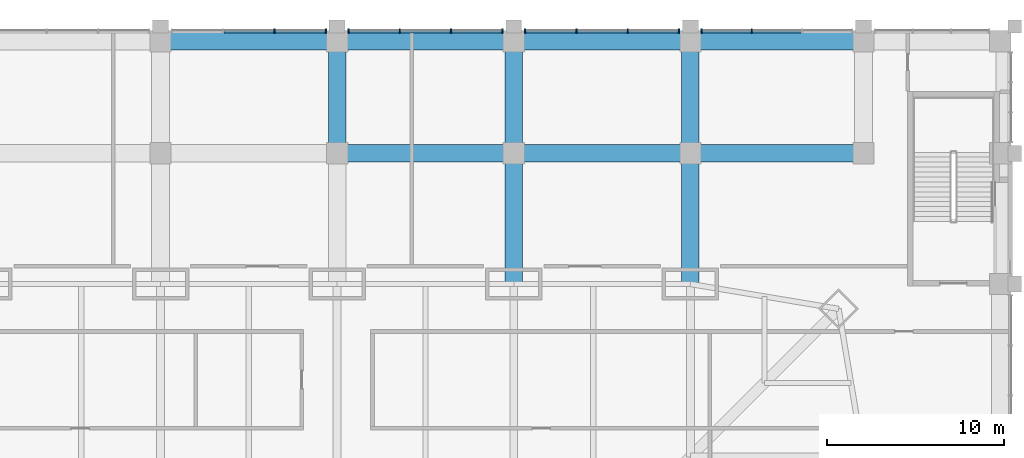
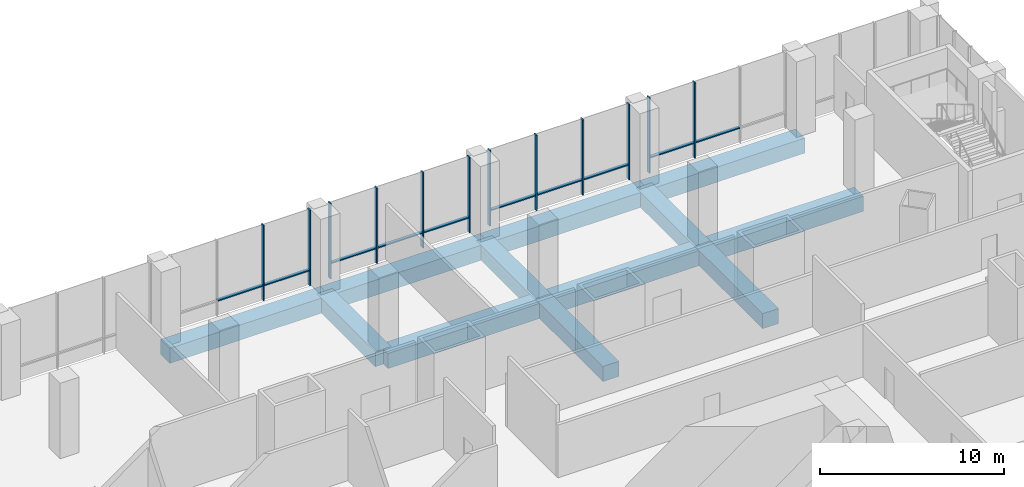
# One storey, part 11 of 24: 22 members, 12 beams, 4 elements without a shape of their own.
"""IFC4 building model written with IfcOpenShell, lengths in metres."""

from ifc_helpers import new_model, si_unit, direction, frame, origin, origin_2d, place, context, subcontext, project, spatial, rectangle, extrude, material, material_profile, profile_set, type_object, element, aggregate, save


model = new_model("IFC4")

# Units and contexts
model_context = context("Model", 3, precision=1e-05, world=origin(), true_north=direction((0.0, 1.0)))
body_context = subcontext(model_context, "Body", "Model", "MODEL_VIEW")
ifc_project = project(units=[si_unit("LENGTHUNIT", "METRE"), si_unit("AREAUNIT", "SQUARE_METRE"), si_unit("VOLUMEUNIT", "CUBIC_METRE"), si_unit("PLANEANGLEUNIT", "RADIAN"), si_unit("MASSUNIT", "GRAM", prefix="KILO")], contexts=[model_context])

# Site, building, storey
site_placement = place(None, origin())
site = spatial("IfcSite", under=ifc_project, at=site_placement, CompositionType="ELEMENT")
building_placement = place(site_placement, origin())
building = spatial("IfcBuilding", under=site, at=building_placement, Name="Khuree Lantern Residences", CompositionType="ELEMENT")
storey_placement = place(building_placement, frame((0.0, 0.0, 6.0)))
storey = spatial("IfcBuildingStorey", under=building, at=storey_placement, Name="L01", CompositionType="ELEMENT", Elevation=6.0)

# Curtain wall, members
ifc_material_1 = material(Name="Bronze anodised aluminium", Category="aluminium")
curtain_wall_type = type_object("IfcCurtainWallType", Name="CW-P PODIUM STOREFRONT CURTAIN WALL", PredefinedType="USERDEFINED", material=ifc_material_1)
curtain_wall_1_placement = place(storey_placement, origin())
curtain_wall_1 = element("IfcCurtainWall", 1, at=curtain_wall_1_placement, inside=storey, type_object=curtain_wall_type, Name="L01 NORTH FACE BAY 2 STOREFRONT", ObjectType="Storefront curtain wall", PredefinedType="USERDEFINED")
ifc_material_profile_1 = material_profile(ifc_material_1, rectangle(XDim=0.074951171875, YDim=0.25, at=origin_2d()), Name="M5 75X250")
ifc_profile_set_1 = profile_set([ifc_material_profile_1], Name="Bronze anodised aluminium")
member_type_1 = type_object("IfcMemberType", Name="MULLION M5 STOREFRONT 75X250", PredefinedType="MULLION", material=ifc_profile_set_1)
member_1_placement = place(storey_placement, frame((23.479248046875, 44.125, 0.0), z_axis=(0.0, 0.0, 1.0), x_axis=(-1.0, 0.0, 0.0)))
member_1 = element("IfcMember", 2, at=member_1_placement, type_object=member_type_1, Name="L01 NORTH FACE BAY 2 MULLION 3", PredefinedType="MULLION", context=body_context, shape_type="SweptSolid", body=[
    extrude(rectangle(XDim=0.074951171875, YDim=0.25, at=origin_2d()), origin(), (0.0, 0.0, 1.0), 5.0),
])
member_2_placement = place(storey_placement, frame((20.637451171875, 44.125, 0.0), z_axis=(0.0, 0.0, 1.0), x_axis=(-1.0, 0.0, 0.0)))
member_2 = element("IfcMember", 3, at=member_2_placement, type_object=member_type_1, Name="L01 NORTH FACE BAY 2 MULLION 4", PredefinedType="MULLION", context=body_context, shape_type="SweptSolid", body=[
    extrude(rectangle(XDim=0.074951171875, YDim=0.25, at=origin_2d()), origin(), (0.0, 0.0, 1.0), 5.0),
])

curtain_wall_2_placement = place(storey_placement, origin())
curtain_wall_2 = element("IfcCurtainWall", 4, at=curtain_wall_2_placement, inside=storey, type_object=curtain_wall_type, Name="L01 NORTH FACE BAY 3 STOREFRONT", ObjectType="Storefront curtain wall", PredefinedType="USERDEFINED")
member_3_placement = place(storey_placement, frame((19.362548828125, 44.125, 0.0), z_axis=(0.0, 0.0, 1.0), x_axis=(-1.0, 0.0, 0.0)))
member_3 = element("IfcMember", 5, at=member_3_placement, type_object=member_type_1, Name="L01 NORTH FACE BAY 3 MULLION 1", PredefinedType="MULLION", context=body_context, shape_type="SweptSolid", body=[
    extrude(rectangle(XDim=0.074951171875, YDim=0.25, at=origin_2d()), origin(), (0.0, 0.0, 1.0), 5.0),
])
member_4_placement = place(storey_placement, frame((16.4541015625, 44.125, 0.0), z_axis=(0.0, 0.0, 1.0), x_axis=(-1.0, 0.0, 0.0)))
member_4 = element("IfcMember", 6, at=member_4_placement, type_object=member_type_1, Name="L01 NORTH FACE BAY 3 MULLION 2", PredefinedType="MULLION", context=body_context, shape_type="SweptSolid", body=[
    extrude(rectangle(XDim=0.074951171875, YDim=0.25, at=origin_2d()), origin(), (0.0, 0.0, 1.0), 5.0),
])
member_5_placement = place(storey_placement, frame((13.5458984375, 44.125, 0.0), z_axis=(0.0, 0.0, 1.0), x_axis=(-1.0, 0.0, 0.0)))
member_5 = element("IfcMember", 7, at=member_5_placement, type_object=member_type_1, Name="L01 NORTH FACE BAY 3 MULLION 3", PredefinedType="MULLION", context=body_context, shape_type="SweptSolid", body=[
    extrude(rectangle(XDim=0.074951171875, YDim=0.25, at=origin_2d()), origin(), (0.0, 0.0, 1.0), 5.0),
])
member_6_placement = place(storey_placement, frame((10.637451171875, 44.125, 0.0), z_axis=(0.0, 0.0, 1.0), x_axis=(-1.0, 0.0, 0.0)))
member_6 = element("IfcMember", 8, at=member_6_placement, type_object=member_type_1, Name="L01 NORTH FACE BAY 3 MULLION 4", PredefinedType="MULLION", context=body_context, shape_type="SweptSolid", body=[
    extrude(rectangle(XDim=0.074951171875, YDim=0.25, at=origin_2d()), origin(), (0.0, 0.0, 1.0), 5.0),
])

curtain_wall_3_placement = place(storey_placement, origin())
curtain_wall_3 = element("IfcCurtainWall", 9, at=curtain_wall_3_placement, inside=storey, type_object=curtain_wall_type, Name="L01 NORTH FACE BAY 4 STOREFRONT", ObjectType="Storefront curtain wall", PredefinedType="USERDEFINED")
member_7_placement = place(storey_placement, frame((9.362548828125, 44.125, 0.0), z_axis=(0.0, 0.0, 1.0), x_axis=(-1.0, 0.0, 0.0)))
member_7 = element("IfcMember", 10, at=member_7_placement, type_object=member_type_1, Name="L01 NORTH FACE BAY 4 MULLION 1", PredefinedType="MULLION", context=body_context, shape_type="SweptSolid", body=[
    extrude(rectangle(XDim=0.074951171875, YDim=0.25, at=origin_2d()), origin(), (0.0, 0.0, 1.0), 5.0),
])
member_8_placement = place(storey_placement, frame((6.4541015625, 44.125, 0.0), z_axis=(0.0, 0.0, 1.0), x_axis=(-1.0, 0.0, 0.0)))
member_8 = element("IfcMember", 11, at=member_8_placement, type_object=member_type_1, Name="L01 NORTH FACE BAY 4 MULLION 2", PredefinedType="MULLION", context=body_context, shape_type="SweptSolid", body=[
    extrude(rectangle(XDim=0.074951171875, YDim=0.25, at=origin_2d()), origin(), (0.0, 0.0, 1.0), 5.0),
])
member_9_placement = place(storey_placement, frame((3.5458984375, 44.125, 0.0), z_axis=(0.0, 0.0, 1.0), x_axis=(-1.0, 0.0, 0.0)))
member_9 = element("IfcMember", 12, at=member_9_placement, type_object=member_type_1, Name="L01 NORTH FACE BAY 4 MULLION 3", PredefinedType="MULLION", context=body_context, shape_type="SweptSolid", body=[
    extrude(rectangle(XDim=0.074951171875, YDim=0.25, at=origin_2d()), origin(), (0.0, 0.0, 1.0), 5.0),
])
member_10_placement = place(storey_placement, frame((0.637451171875, 44.125, 0.0), z_axis=(0.0, 0.0, 1.0), x_axis=(-1.0, 0.0, 0.0)))
member_10 = element("IfcMember", 13, at=member_10_placement, type_object=member_type_1, Name="L01 NORTH FACE BAY 4 MULLION 4", PredefinedType="MULLION", context=body_context, shape_type="SweptSolid", body=[
    extrude(rectangle(XDim=0.074951171875, YDim=0.25, at=origin_2d()), origin(), (0.0, 0.0, 1.0), 5.0),
])

curtain_wall_4_placement = place(storey_placement, origin())
curtain_wall_4 = element("IfcCurtainWall", 14, at=curtain_wall_4_placement, inside=storey, type_object=curtain_wall_type, Name="L01 NORTH FACE BAY 5 STOREFRONT", ObjectType="Storefront curtain wall", PredefinedType="USERDEFINED")
member_11_placement = place(storey_placement, frame((-0.637451171875, 44.125, 0.0), z_axis=(0.0, 0.0, 1.0), x_axis=(-1.0, 0.0, 0.0)))
member_11 = element("IfcMember", 15, at=member_11_placement, type_object=member_type_1, Name="L01 NORTH FACE BAY 5 MULLION 1", PredefinedType="MULLION", context=body_context, shape_type="SweptSolid", body=[
    extrude(rectangle(XDim=0.074951171875, YDim=0.25, at=origin_2d()), origin(), (0.0, 0.0, 1.0), 5.0),
])
member_12_placement = place(storey_placement, frame((-3.5458984375, 44.125, 0.0), z_axis=(0.0, 0.0, 1.0), x_axis=(-1.0, 0.0, 0.0)))
member_12 = element("IfcMember", 16, at=member_12_placement, type_object=member_type_1, Name="L01 NORTH FACE BAY 5 MULLION 2", PredefinedType="MULLION", context=body_context, shape_type="SweptSolid", body=[
    extrude(rectangle(XDim=0.074951171875, YDim=0.25, at=origin_2d()), origin(), (0.0, 0.0, 1.0), 5.0),
])

# Beams
ifc_material_2 = material(Name="Concrete C40/50", Category="concrete")
ifc_material_profile_2 = material_profile(ifc_material_2, rectangle(XDim=1.0, YDim=1.0, at=origin_2d()), Name="RC 1000X1000")
ifc_profile_set_2 = profile_set([ifc_material_profile_2], Name="Concrete C40/50")
beam_type = type_object("IfcBeamType", Name="RB3 PODIUM BEAM RC 1000X1000", PredefinedType="BEAM", material=ifc_profile_set_2)
for number, where, z_axis, x_axis, name in (
    (17, (0.0, 37.199951171875, -0.800048828125), (1.0, 0.0, 0.0), (0.0, 1.0, 0.0), "Podium beam RB-14"),
    (18, (10.0, 37.199951171875, -0.800048828125), (1.0, 0.0, 0.0), (0.0, 1.0, 0.0), "Podium beam RB-15"),
):
    element("IfcBeam", number, at=place(storey_placement, frame(where, z_axis=z_axis, x_axis=x_axis)), inside=storey, type_object=beam_type, Name=name, PredefinedType="BEAM", context=body_context, shape_type="SweptSolid", body=[
        extrude(rectangle(XDim=1.0, YDim=1.0, at=origin_2d()), origin(), (0.0, 0.0, 1.0), 10.0),
    ])
beam_1_placement = place(storey_placement, frame((20.0, 37.199951171875, -0.800048828125), z_axis=(1.0, 0.0, 0.0), x_axis=(0.0, 1.0, 0.0)))
element("IfcBeam", 19, at=beam_1_placement, inside=storey, type_object=beam_type, Name="Podium beam RB-16", PredefinedType="BEAM", context=body_context, shape_type="SweptSolid", body=[
    extrude(rectangle(XDim=1.0, YDim=1.0, at=origin_2d()), origin(), (0.0, 0.0, 1.0), 9.800048828125),
])
for number, where, z_axis, x_axis, name in (
    (20, (-10.0, 43.550048828125, -0.800048828125), (1.0, 0.0, 0.0), (0.0, 1.0, 0.0), "Podium beam RB-20"),
    (21, (0.0, 43.550048828125, -0.800048828125), (1.0, 0.0, 0.0), (0.0, 1.0, 0.0), "Podium beam RB-21"),
    (22, (10.0, 43.550048828125, -0.800048828125), (1.0, 0.0, 0.0), (0.0, 1.0, 0.0), "Podium beam RB-22"),
):
    element("IfcBeam", number, at=place(storey_placement, frame(where, z_axis=z_axis, x_axis=x_axis)), inside=storey, type_object=beam_type, Name=name, PredefinedType="BEAM", context=body_context, shape_type="SweptSolid", body=[
        extrude(rectangle(XDim=1.0, YDim=1.0, at=origin_2d()), origin(), (0.0, 0.0, 1.0), 10.0),
    ])
beam_2_placement = place(storey_placement, frame((20.0, 43.550048828125, -0.800048828125), z_axis=(1.0, 0.0, 0.0), x_axis=(0.0, 1.0, 0.0)))
element("IfcBeam", 23, at=beam_2_placement, inside=storey, type_object=beam_type, Name="Podium beam RB-23", PredefinedType="BEAM", context=body_context, shape_type="SweptSolid", body=[
    extrude(rectangle(XDim=1.0, YDim=1.0, at=origin_2d()), origin(), (0.0, 0.0, 1.0), 9.800048828125),
])
beam_3_placement = place(storey_placement, frame((0.0, 37.199951171875, -0.800048828125), z_axis=(0.0, 1.0, 0.0), x_axis=(-1.0, 0.0, 0.0)))
element("IfcBeam", 24, at=beam_3_placement, inside=storey, type_object=beam_type, Name="Podium beam RB-39", PredefinedType="BEAM", context=body_context, shape_type="SweptSolid", body=[
    extrude(rectangle(XDim=1.0, YDim=1.0, at=origin_2d()), origin(), (0.0, 0.0, 1.0), 6.35009765625),
])
beam_4_placement = place(storey_placement, frame((10.0, 29.800048828125, -0.800048828125), z_axis=(0.0, 1.0, 0.0), x_axis=(-1.0, 0.0, 0.0)))
element("IfcBeam", 25, at=beam_4_placement, inside=storey, type_object=beam_type, Name="Podium beam RB-40", PredefinedType="BEAM", context=body_context, shape_type="SweptSolid", body=[
    extrude(rectangle(XDim=1.0, YDim=1.0, at=origin_2d()), origin(), (0.0, 0.0, 1.0), 7.39990234375),
])
beam_5_placement = place(storey_placement, frame((10.0, 37.199951171875, -0.800048828125), z_axis=(0.0, 1.0, 0.0), x_axis=(-1.0, 0.0, 0.0)))
element("IfcBeam", 26, at=beam_5_placement, inside=storey, type_object=beam_type, Name="Podium beam RB-41", PredefinedType="BEAM", context=body_context, shape_type="SweptSolid", body=[
    extrude(rectangle(XDim=1.0, YDim=1.0, at=origin_2d()), origin(), (0.0, 0.0, 1.0), 6.35009765625),
])
beam_6_placement = place(storey_placement, frame((20.0, 29.800048828125, -0.800048828125), z_axis=(0.0, 1.0, 0.0), x_axis=(-1.0, 0.0, 0.0)))
element("IfcBeam", 27, at=beam_6_placement, inside=storey, type_object=beam_type, Name="Podium beam RB-42", PredefinedType="BEAM", context=body_context, shape_type="SweptSolid", body=[
    extrude(rectangle(XDim=1.0, YDim=1.0, at=origin_2d()), origin(), (0.0, 0.0, 1.0), 7.39990234375),
])
beam_7_placement = place(storey_placement, frame((20.0, 37.199951171875, -0.800048828125), z_axis=(0.0, 1.0, 0.0), x_axis=(-1.0, 0.0, 0.0)))
element("IfcBeam", 28, at=beam_7_placement, inside=storey, type_object=beam_type, Name="Podium beam RB-43", PredefinedType="BEAM", context=body_context, shape_type="SweptSolid", body=[
    extrude(rectangle(XDim=1.0, YDim=1.0, at=origin_2d()), origin(), (0.0, 0.0, 1.0), 6.35009765625),
])

# Member
ifc_material_profile_3 = material_profile(ifc_material_1, rectangle(XDim=0.199951171875, YDim=0.074951171875, at=origin_2d()), Name="T5 200X75")
ifc_profile_set_3 = profile_set([ifc_material_profile_3], Name="Bronze anodised aluminium")
member_type_2 = type_object("IfcMemberType", Name="TRANSOM T5 STOREFRONT 200X75", PredefinedType="USERDEFINED", material=ifc_profile_set_3)
member_13_placement = place(storey_placement, frame((26.283447265625, 44.1201171875, 1.0), z_axis=(-1.0, 0.0, 0.0), x_axis=(0.0, -1.0, 0.0)))
member_13 = element("IfcMember", 29, at=member_13_placement, type_object=member_type_2, Name="L01 NORTH FACE BAY 2 TRANSOM 2", ObjectType="Transom", PredefinedType="USERDEFINED", context=body_context, shape_type="SweptSolid", body=[
    extrude(rectangle(XDim=0.199951171875, YDim=0.074951171875, at=origin_2d()), origin(), (0.0, 0.0, 1.0), 2.766845703125),
])

member_14_placement = place(storey_placement, frame((23.441650390625, 44.1201171875, 1.0), z_axis=(-1.0, 0.0, 0.0), x_axis=(0.0, -1.0, 0.0)))
member_14 = element("IfcMember", 30, at=member_14_placement, type_object=member_type_2, Name="L01 NORTH FACE BAY 2 TRANSOM 3", ObjectType="Transom", PredefinedType="USERDEFINED", context=body_context, shape_type="SweptSolid", body=[
    extrude(rectangle(XDim=0.199951171875, YDim=0.074951171875, at=origin_2d()), origin(), (0.0, 0.0, 1.0), 2.7666015625),
])

aggregate(curtain_wall_1, [member_1, member_2, member_13, member_14])

member_15_placement = place(storey_placement, frame((19.324951171875, 44.1201171875, 1.0), z_axis=(-1.0, 0.0, 0.0), x_axis=(0.0, -1.0, 0.0)))
member_15 = element("IfcMember", 31, at=member_15_placement, type_object=member_type_2, Name="L01 NORTH FACE BAY 3 TRANSOM 1", ObjectType="Transom", PredefinedType="USERDEFINED", context=body_context, shape_type="SweptSolid", body=[
    extrude(rectangle(XDim=0.199951171875, YDim=0.074951171875, at=origin_2d()), origin(), (0.0, 0.0, 1.0), 2.833251953125),
])

member_16_placement = place(storey_placement, frame((16.416748046875, 44.1201171875, 1.0), z_axis=(-1.0, 0.0, 0.0), x_axis=(0.0, -1.0, 0.0)))
member_16 = element("IfcMember", 32, at=member_16_placement, type_object=member_type_2, Name="L01 NORTH FACE BAY 3 TRANSOM 2", ObjectType="Transom", PredefinedType="USERDEFINED", context=body_context, shape_type="SweptSolid", body=[
    extrude(rectangle(XDim=0.199951171875, YDim=0.074951171875, at=origin_2d()), origin(), (0.0, 0.0, 1.0), 2.83349609375),
])

member_17_placement = place(storey_placement, frame((13.50830078125, 44.1201171875, 1.0), z_axis=(-1.0, 0.0, 0.0), x_axis=(0.0, -1.0, 0.0)))
member_17 = element("IfcMember", 33, at=member_17_placement, type_object=member_type_2, Name="L01 NORTH FACE BAY 3 TRANSOM 3", ObjectType="Transom", PredefinedType="USERDEFINED", context=body_context, shape_type="SweptSolid", body=[
    extrude(rectangle(XDim=0.199951171875, YDim=0.074951171875, at=origin_2d()), origin(), (0.0, 0.0, 1.0), 2.833251953125),
])

aggregate(curtain_wall_2, [member_3, member_4, member_5, member_6, member_15, member_16, member_17])

member_18_placement = place(storey_placement, frame((9.324951171875, 44.1201171875, 1.0), z_axis=(-1.0, 0.0, 0.0), x_axis=(0.0, -1.0, 0.0)))
member_18 = element("IfcMember", 34, at=member_18_placement, type_object=member_type_2, Name="L01 NORTH FACE BAY 4 TRANSOM 1", ObjectType="Transom", PredefinedType="USERDEFINED", context=body_context, shape_type="SweptSolid", body=[
    extrude(rectangle(XDim=0.199951171875, YDim=0.074951171875, at=origin_2d()), origin(), (0.0, 0.0, 1.0), 2.833251953125),
])

member_19_placement = place(storey_placement, frame((6.416748046875, 44.1201171875, 1.0), z_axis=(-1.0, 0.0, 0.0), x_axis=(0.0, -1.0, 0.0)))
member_19 = element("IfcMember", 35, at=member_19_placement, type_object=member_type_2, Name="L01 NORTH FACE BAY 4 TRANSOM 2", ObjectType="Transom", PredefinedType="USERDEFINED", context=body_context, shape_type="SweptSolid", body=[
    extrude(rectangle(XDim=0.199951171875, YDim=0.074951171875, at=origin_2d()), origin(), (0.0, 0.0, 1.0), 2.83349609375),
])

member_20_placement = place(storey_placement, frame((3.50830078125, 44.1201171875, 1.0), z_axis=(-1.0, 0.0, 0.0), x_axis=(0.0, -1.0, 0.0)))
member_20 = element("IfcMember", 36, at=member_20_placement, type_object=member_type_2, Name="L01 NORTH FACE BAY 4 TRANSOM 3", ObjectType="Transom", PredefinedType="USERDEFINED", context=body_context, shape_type="SweptSolid", body=[
    extrude(rectangle(XDim=0.199951171875, YDim=0.074951171875, at=origin_2d()), origin(), (0.0, 0.0, 1.0), 2.833251953125),
])

aggregate(curtain_wall_3, [member_7, member_8, member_9, member_10, member_18, member_19, member_20])

member_21_placement = place(storey_placement, frame((-0.675048828125, 44.1201171875, 1.0), z_axis=(-1.0, 0.0, 0.0), x_axis=(0.0, -1.0, 0.0)))
member_21 = element("IfcMember", 37, at=member_21_placement, type_object=member_type_2, Name="L01 NORTH FACE BAY 5 TRANSOM 1", ObjectType="Transom", PredefinedType="USERDEFINED", context=body_context, shape_type="SweptSolid", body=[
    extrude(rectangle(XDim=0.199951171875, YDim=0.074951171875, at=origin_2d()), origin(), (0.0, 0.0, 1.0), 2.833251953125),
])

member_22_placement = place(storey_placement, frame((-3.583251953125, 44.1201171875, 1.0), z_axis=(-1.0, 0.0, 0.0), x_axis=(0.0, -1.0, 0.0)))
member_22 = element("IfcMember", 38, at=member_22_placement, type_object=member_type_2, Name="L01 NORTH FACE BAY 5 TRANSOM 2", ObjectType="Transom", PredefinedType="USERDEFINED", context=body_context, shape_type="SweptSolid", body=[
    extrude(rectangle(XDim=0.199951171875, YDim=0.074951171875, at=origin_2d()), origin(), (0.0, 0.0, 1.0), 2.83349609375),
])

aggregate(curtain_wall_4, [member_11, member_12, member_21, member_22])

save(model, "model.ifc")
